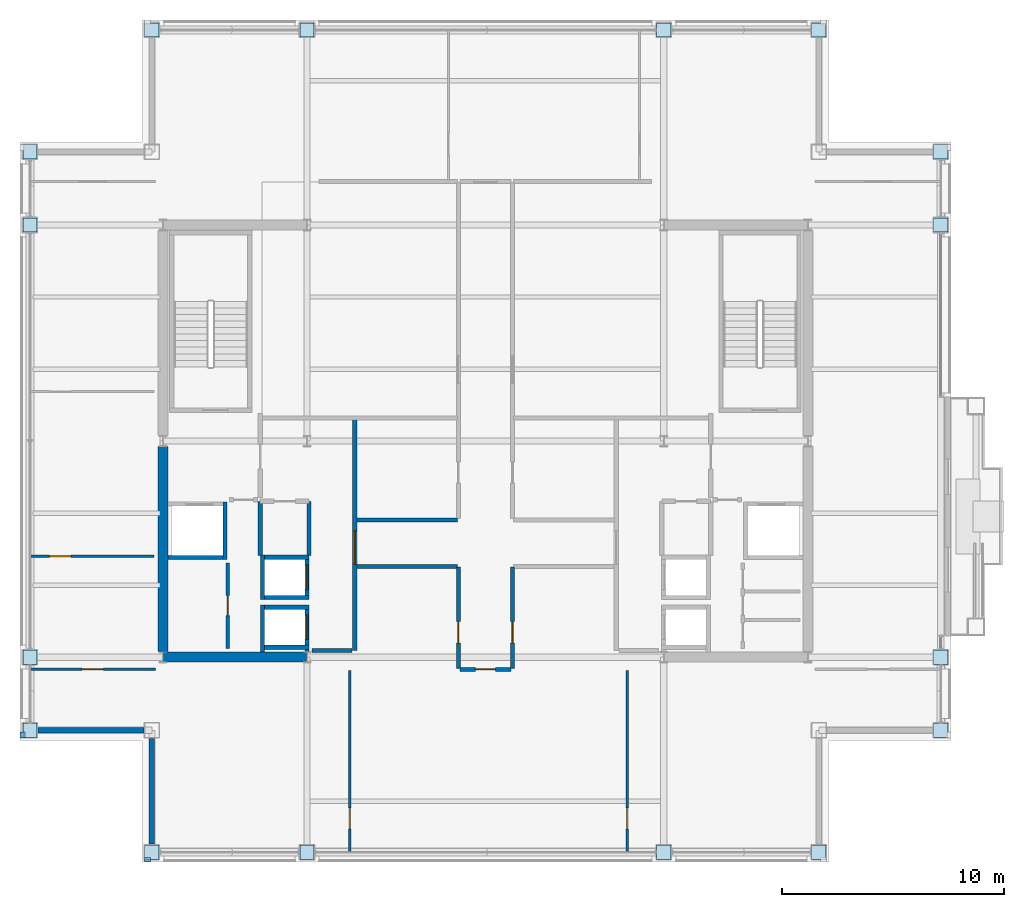
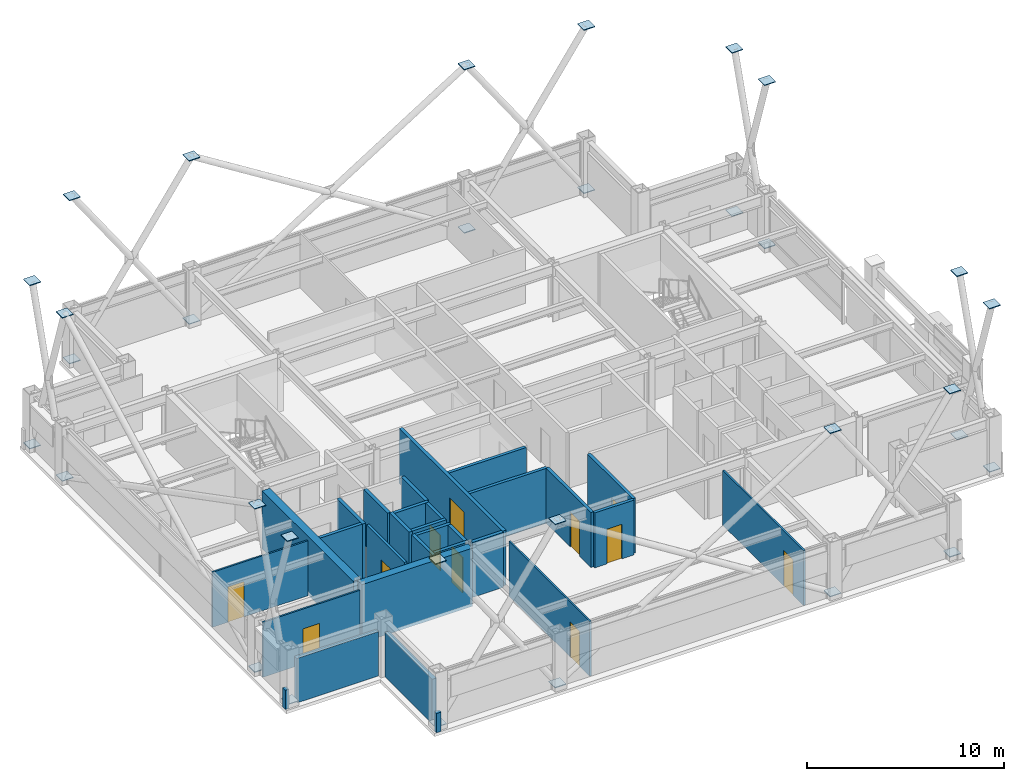
# One storey, part 28 of 33: 32 plates, 30 walls, 11 doors, 11 openings.
"""IFC4 building model written with IfcOpenShell, lengths in metres."""

from ifc_helpers import new_model, si_unit, direction, frame, frame_2d, origin, origin_2d, place, context, subcontext, project, spatial, rectangle, extrude, material, layer, layer_set, type_object, element, fill, save


model = new_model("IFC4")

# Units and contexts
model_context = context("Model", 3, precision=1e-05, world=origin(), true_north=direction((0.0, 1.0)))
body_context = subcontext(model_context, "Body", "Model", "MODEL_VIEW")
ifc_project = project(units=[si_unit("LENGTHUNIT", "METRE"), si_unit("AREAUNIT", "SQUARE_METRE"), si_unit("VOLUMEUNIT", "CUBIC_METRE"), si_unit("PLANEANGLEUNIT", "RADIAN"), si_unit("MASSUNIT", "GRAM", prefix="KILO")], contexts=[model_context])

# Site, building, storey
site_placement = place(None, origin())
site = spatial("IfcSite", under=ifc_project, at=site_placement, CompositionType="ELEMENT")
building_placement = place(site_placement, origin())
building = spatial("IfcBuilding", under=site, at=building_placement, Name="Brelmoor Portico Tower", CompositionType="ELEMENT")
storey_placement = place(building_placement, frame((0.0, 0.0, 183.89990234375)))
storey = spatial("IfcBuildingStorey", under=building, at=storey_placement, Name="L48", CompositionType="ELEMENT", Elevation=183.89990234375)

# Plates
ifc_material_1 = material(Name="Steel Q355B", Category="steel")
ifc_layer_1 = layer(ifc_material_1, 0.044921875)
ifc_layer_set_1 = layer_set([ifc_layer_1], Name="Steel Q355B")
plate_type = type_object("IfcPlateType", Name="PT-CAP-650", PredefinedType="SHEET", material=ifc_layer_set_1)
for number, where, z_axis, x_axis, name in (
    (1, (-15.050048828125, -18.550048828125, 0.2275390625), (0.0, 0.0, 1.0), (1.0, 0.0, 0.0), "L48 Continuous Mega-X Brace 105A Joint Cap Plate 1"),
    (2, (-8.050048828125, -18.550048828125, 10.32763671875), (0.0, 0.0, 1.0), (1.0, 0.0, 0.0), "L48 Continuous Mega-X Brace 105A Joint Cap Plate 2"),
    (3, (-8.050048828125, -18.550048828125, 0.2275390625), (0.0, 0.0, 1.0), (1.0, 0.0, 0.0), "L48 Split Mega-X Brace 105B1 Joint Cap Plate 1"),
    (4, (-15.050048828125, -18.550048828125, 10.32763671875), (0.0, 0.0, 1.0), (1.0, 0.0, 0.0), "L48 Split Mega-X Brace 105B2 Joint Cap Plate 2"),
    (5, (8.050048828125, -18.550048828125, 10.32763671875), (0.0, 0.0, 1.0), (1.0, 0.0, 0.0), "L48 Continuous Mega-X Brace 106A Joint Cap Plate 2"),
    (6, (8.050048828125, -18.550048828125, 0.2275390625), (0.0, 0.0, 1.0), (1.0, 0.0, 0.0), "L48 Split Mega-X Brace 106B1 Joint Cap Plate 1"),
    (7, (15.050048828125, -18.550048828125, 10.32763671875), (0.0, 0.0, 1.0), (1.0, 0.0, 0.0), "L48 Continuous Mega-X Brace 107A Joint Cap Plate 2"),
    (8, (15.050048828125, -18.550048828125, 0.2275390625), (0.0, 0.0, 1.0), (1.0, 0.0, 0.0), "L48 Split Mega-X Brace 107B1 Joint Cap Plate 1"),
    (9, (-15.050048828125, 18.550048828125, 0.2275390625), (0.0, 0.0, 1.0), (1.0, 0.0, 0.0), "L48 Continuous Mega-X Brace 108A Joint Cap Plate 1"),
    (10, (-8.050048828125, 18.550048828125, 10.32763671875), (0.0, 0.0, 1.0), (1.0, 0.0, 0.0), "L48 Continuous Mega-X Brace 108A Joint Cap Plate 2"),
    (11, (-8.050048828125, 18.550048828125, 0.2275390625), (0.0, 0.0, 1.0), (1.0, 0.0, 0.0), "L48 Split Mega-X Brace 108B1 Joint Cap Plate 1"),
    (12, (-15.050048828125, 18.550048828125, 10.32763671875), (0.0, 0.0, 1.0), (1.0, 0.0, 0.0), "L48 Split Mega-X Brace 108B2 Joint Cap Plate 2"),
    (13, (8.050048828125, 18.550048828125, 10.32763671875), (0.0, 0.0, 1.0), (1.0, 0.0, 0.0), "L48 Continuous Mega-X Brace 109A Joint Cap Plate 2"),
    (14, (8.050048828125, 18.550048828125, 0.2275390625), (0.0, 0.0, 1.0), (1.0, 0.0, 0.0), "L48 Split Mega-X Brace 109B1 Joint Cap Plate 1"),
    (15, (15.050048828125, 18.550048828125, 10.32763671875), (0.0, 0.0, 1.0), (1.0, 0.0, 0.0), "L48 Continuous Mega-X Brace 110A Joint Cap Plate 2"),
    (16, (15.050048828125, 18.550048828125, 0.2275390625), (0.0, 0.0, 1.0), (1.0, 0.0, 0.0), "L48 Split Mega-X Brace 110B1 Joint Cap Plate 1"),
    (17, (-20.550048828125, -13.050048828125, 0.2275390625), (0.0, 0.0, 1.0), (1.0, 0.0, 0.0), "L48 Continuous Mega-X Brace 111A Joint Cap Plate 1"),
    (18, (-20.550048828125, -9.75, 10.32763671875), (0.0, 0.0, 1.0), (1.0, 0.0, 0.0), "L48 Continuous Mega-X Brace 111A Joint Cap Plate 2"),
    (19, (-20.550048828125, -9.75, 0.2275390625), (0.0, 0.0, 1.0), (1.0, 0.0, 0.0), "L48 Split Mega-X Brace 111B1 Joint Cap Plate 1"),
    (20, (-20.550048828125, -13.050048828125, 10.32763671875), (0.0, 0.0, 1.0), (1.0, 0.0, 0.0), "L48 Split Mega-X Brace 111B2 Joint Cap Plate 2"),
    (21, (-20.550048828125, 9.75, 10.32763671875), (0.0, 0.0, 1.0), (1.0, 0.0, 0.0), "L48 Continuous Mega-X Brace 112A Joint Cap Plate 2"),
    (22, (-20.550048828125, 9.75, 0.2275390625), (0.0, 0.0, 1.0), (1.0, 0.0, 0.0), "L48 Split Mega-X Brace 112B1 Joint Cap Plate 1"),
    (23, (-20.550048828125, 13.050048828125, 10.32763671875), (0.0, 0.0, 1.0), (1.0, 0.0, 0.0), "L48 Continuous Mega-X Brace 113A Joint Cap Plate 2"),
    (24, (-20.550048828125, 13.050048828125, 0.2275390625), (0.0, 0.0, 1.0), (1.0, 0.0, 0.0), "L48 Split Mega-X Brace 113B1 Joint Cap Plate 1"),
    (25, (20.550048828125, -13.050048828125, 0.2275390625), (0.0, 0.0, 1.0), (1.0, 0.0, 0.0), "L48 Continuous Mega-X Brace 114A Joint Cap Plate 1"),
    (26, (20.550048828125, -9.75, 10.32763671875), (0.0, 0.0, 1.0), (1.0, 0.0, 0.0), "L48 Continuous Mega-X Brace 114A Joint Cap Plate 2"),
    (27, (20.550048828125, -9.75, 0.2275390625), (0.0, 0.0, 1.0), (1.0, 0.0, 0.0), "L48 Split Mega-X Brace 114B1 Joint Cap Plate 1"),
    (28, (20.550048828125, -13.050048828125, 10.32763671875), (0.0, 0.0, 1.0), (1.0, 0.0, 0.0), "L48 Split Mega-X Brace 114B2 Joint Cap Plate 2"),
    (29, (20.550048828125, 9.75, 0.2275390625), (0.0, 0.0, 1.0), (1.0, 0.0, 0.0), "L48 Continuous Mega-X Brace 115A Joint Cap Plate 1"),
    (30, (20.550048828125, 13.050048828125, 10.32763671875), (0.0, 0.0, 1.0), (1.0, 0.0, 0.0), "L48 Continuous Mega-X Brace 115A Joint Cap Plate 2"),
    (31, (20.550048828125, 13.050048828125, 0.2275390625), (0.0, 0.0, 1.0), (1.0, 0.0, 0.0), "L48 Split Mega-X Brace 115B1 Joint Cap Plate 1"),
    (32, (20.550048828125, 9.75, 10.32763671875), (0.0, 0.0, 1.0), (1.0, 0.0, 0.0), "L48 Split Mega-X Brace 115B2 Joint Cap Plate 2"),
):
    element("IfcPlate", number, at=place(storey_placement, frame(where, z_axis=z_axis, x_axis=x_axis)), inside=storey, type_object=plate_type, Name=name, PredefinedType="SHEET", context=body_context, shape_type="SweptSolid", body=[
        extrude(rectangle(XDim=0.64990234375, YDim=0.64990234375, at=origin_2d()), origin(), (0.0, 0.0, 1.0), 0.044921875),
    ])

# Walls
ifc_material_2 = material(Name="Concrete C50", Category="concrete")
ifc_layer_2 = layer(ifc_material_2, 0.449951171875)
ifc_layer_set_2 = layer_set([ifc_layer_2], Name="Concrete C50")
wall_type_1 = type_object("IfcWallType", Name="WL-CORE-450", PredefinedType="SHEAR", material=ifc_layer_set_2)
wall_1_placement = place(storey_placement, frame((-14.530029296875, -9.75, -0.199951171875), z_axis=(0.0, 0.0, 1.0), x_axis=(1.0, 0.0, 0.0)))
element("IfcWall", 33, at=wall_1_placement, inside=storey, type_object=wall_type_1, Name="L48 WC South Shear Wall", PredefinedType="SHEAR", context=body_context, shape_type="SweptSolid", body=[
    extrude(rectangle(XDim=6.4599609375, YDim=0.449951171875, at=frame_2d((3.22998046875, 0.0))), origin(), (0.0, 0.0, 1.0), 3.60009765625),
])
wall_2_placement = place(storey_placement, frame((-14.550048828125, -9.5, -0.199951171875), z_axis=(0.0, 0.0, 1.0), x_axis=(0.0, 1.0, 0.0)))
element("IfcWall", 34, at=wall_2_placement, inside=storey, type_object=wall_type_1, Name="L48 WC Outer South Shear Wall", PredefinedType="SHEAR", context=body_context, shape_type="SweptSolid", body=[
    extrude(rectangle(XDim=9.25, YDim=0.449951171875, at=frame_2d((4.625, 0.0))), origin(), (0.0, 0.0, 1.0), 3.60009765625),
])
ifc_material_3 = material(Name="Precast Concrete C40 Insulated Facade Wall", Category="concrete")
ifc_layer_3 = layer(ifc_material_3, 0.25)
ifc_layer_set_3 = layer_set([ifc_layer_3], Name="Precast Concrete C40 Insulated Facade Wall")
wall_type_2 = type_object("IfcWallType", Name="WL-EXT-250", PredefinedType="STANDARD", material=ifc_layer_set_3)
for number, where, z_axis, x_axis, name in (
    (35, (-20.18994140625, -13.050048828125, 0.0), (0.0, 0.0, 1.0), (1.0, 0.0, 0.0), "L48 Corner Notch Facade Wall NSWH1"),
    (36, (-15.050048828125, -18.18994140625, 0.0), (0.0, 0.0, 1.0), (0.0, 1.0, 0.0), "L48 Corner Notch Facade Wall NSWV1"),
):
    element("IfcWall", number, at=place(storey_placement, frame(where, z_axis=z_axis, x_axis=x_axis)), inside=storey, type_object=wall_type_2, Name=name, PredefinedType="STANDARD", context=body_context, shape_type="SweptSolid", body=[
        extrude(rectangle(XDim=4.780029296875, YDim=0.25, at=frame_2d((2.39013671875, 0.0))), origin(), (0.0, 0.0, 1.0), 2.75),
    ])
ifc_material_4 = material(Name="Concrete C40 Parapet Upstand", Category="concrete")
ifc_layer_4 = layer(ifc_material_4, 0.219970703125)
ifc_layer_set_4 = layer_set([ifc_layer_4], Name="Concrete C40 Parapet Upstand")
wall_type_3 = type_object("IfcWallType", Name="WL-PARAPET-220", PredefinedType="PARAPET", material=ifc_layer_set_4)
for number, where, z_axis, x_axis, name in (
    (37, (-15.389892578125, -18.889892578125, 0.0), (0.0, 0.0, 1.0), (1.0, 0.0, 0.0), "L48 Chamfer Vertex Parapet Pier SW1"),
    (38, (-20.889892578125, -13.389892578125, 0.0), (0.0, 0.0, 1.0), (0.0, 1.0, 0.0), "L48 Chamfer Vertex Parapet Pier SW2"),
):
    element("IfcWall", number, at=place(storey_placement, frame(where, z_axis=z_axis, x_axis=x_axis)), inside=storey, type_object=wall_type_3, Name=name, PredefinedType="PARAPET", context=body_context, shape_type="SweptSolid", body=[
        extrude(rectangle(XDim=0.269775390625, YDim=0.219970703125, at=frame_2d((0.134765625, 0.0))), origin(), (0.0, 0.0, 1.0), 1.2001953125),
    ])

# Wall, opening, door
ifc_material_5 = material(Name="Demountable Glazed Office Partition", Category="aluminium")
ifc_layer_5 = layer(ifc_material_5, 0.10009765625)
ifc_layer_set_5 = layer_set([ifc_layer_5], Name="Demountable Glazed Office Partition")
wall_type_4 = type_object("IfcWallType", Name="WL-PART-100", PredefinedType="PARTITIONING", material=ifc_layer_set_5)
wall_3_placement = place(storey_placement, frame((-6.120361328125, -18.56005859375, 0.0), z_axis=(0.0, 0.0, 1.0), x_axis=(0.0, 1.0, 0.0)))
wall_3 = element("IfcWall", 39, at=wall_3_placement, inside=storey, type_object=wall_type_4, Name="L48 South Suite Partition 1", PredefinedType="PARTITIONING", context=body_context, shape_type="SweptSolid", body=[
    extrude(rectangle(XDim=8.199951171875, YDim=0.10009765625, at=frame_2d((4.10009765625, 0.0))), origin(), (0.0, 0.0, 1.0), 3.400146484375),
])
opening_1_placement = place(wall_3_placement, frame((1.050048828125, 0.0, 0.0)))
opening_1 = element("IfcOpeningElement", 40, at=opening_1_placement, cuts=wall_3, Name="Opening D-IN2", PredefinedType="OPENING", context=body_context, shape_type="SweptSolid", body=[
    extrude(rectangle(XDim=0.9599609375, YDim=2.179931640625, at=frame_2d((0.47998046875, 1.08984375))), frame((0.0, 0.06005859375, 0.0), z_axis=(0.0, -1.0, 0.0), x_axis=(1.0, 0.0, 0.0)), (0.0, 0.0, 1.0), 0.1201171875),
])
ifc_material_6 = material(Name="Lacquered Timber Suite Door", Category="wood")
door_type_1 = type_object("IfcDoorType", Name="DR-INT-950", OperationType="NOTDEFINED", PredefinedType="DOOR", material=ifc_material_6)
door_1_placement = place(opening_1_placement, origin())
door_1 = element("IfcDoor", 41, at=door_1_placement, inside=storey, type_object=door_type_1, Name="D-2048 L48 South Suite Connecting Door 1", OperationType="SINGLE_SWING_LEFT", OverallHeight=2.179931640625, OverallWidth=0.9599609375, PredefinedType="DOOR", context=body_context, shape_type="SweptSolid", body=[
    extrude(rectangle(XDim=0.9599609375, YDim=2.179931640625, at=frame_2d((0.47998046875, 1.08984375))), frame((0.0, 0.02490234375, 0.0), z_axis=(0.0, -1.0, 0.0), x_axis=(1.0, 0.0, 0.0)), (0.0, 0.0, 1.0), 0.050048828125),
])
fill(opening_1, door_1)

wall_4_placement = place(storey_placement, frame((6.398681640625, -18.56005859375, 0.0), z_axis=(0.0, 0.0, 1.0), x_axis=(0.0, 1.0, 0.0)))
wall_4 = element("IfcWall", 42, at=wall_4_placement, inside=storey, type_object=wall_type_4, Name="L48 South Suite Partition 2", PredefinedType="PARTITIONING", context=body_context, shape_type="SweptSolid", body=[
    extrude(rectangle(XDim=8.199951171875, YDim=0.10009765625, at=frame_2d((4.10009765625, 0.0))), origin(), (0.0, 0.0, 1.0), 3.400146484375),
])
opening_2_placement = place(wall_4_placement, frame((1.050048828125, 0.0, 0.0)))
opening_2 = element("IfcOpeningElement", 43, at=opening_2_placement, cuts=wall_4, Name="Opening D-IN2", PredefinedType="OPENING", context=body_context, shape_type="SweptSolid", body=[
    extrude(rectangle(XDim=0.9599609375, YDim=2.179931640625, at=frame_2d((0.47998046875, 1.08984375))), frame((0.0, 0.06005859375, 0.0), z_axis=(0.0, -1.0, 0.0), x_axis=(1.0, 0.0, 0.0)), (0.0, 0.0, 1.0), 0.1201171875),
])
door_2_placement = place(opening_2_placement, origin())
door_2 = element("IfcDoor", 44, at=door_2_placement, inside=storey, type_object=door_type_1, Name="D-2049 L48 South Suite Connecting Door 2", OperationType="SINGLE_SWING_RIGHT", OverallHeight=2.179931640625, OverallWidth=0.9599609375, PredefinedType="DOOR", context=body_context, shape_type="SweptSolid", body=[
    extrude(rectangle(XDim=0.9599609375, YDim=2.179931640625, at=frame_2d((0.47998046875, 1.08984375))), frame((0.0, 0.02490234375, 0.0), z_axis=(0.0, -1.0, 0.0), x_axis=(1.0, 0.0, 0.0)), (0.0, 0.0, 1.0), 0.050048828125),
])
fill(opening_2, door_2)

wall_5_placement = place(storey_placement, frame((-20.56005859375, -10.300048828125, 0.0), z_axis=(0.0, 0.0, 1.0), x_axis=(1.0, 0.0, 0.0)))
wall_5 = element("IfcWall", 45, at=wall_5_placement, inside=storey, type_object=wall_type_4, Name="L48 South Wing Closure WL", PredefinedType="PARTITIONING", context=body_context, shape_type="SweptSolid", body=[
    extrude(rectangle(XDim=5.68017578125, YDim=0.10009765625, at=frame_2d((2.840087890625, 0.0))), origin(), (0.0, 0.0, 1.0), 3.400146484375),
])
opening_3_placement = place(wall_5_placement, frame((2.360107421875, 0.0, 0.0)))
opening_3 = element("IfcOpeningElement", 46, at=opening_3_placement, cuts=wall_5, Name="Opening D-IN2", PredefinedType="OPENING", context=body_context, shape_type="SweptSolid", body=[
    extrude(rectangle(XDim=0.9599609375, YDim=2.179931640625, at=frame_2d((0.47998046875, 1.08984375))), frame((0.0, 0.06005859375, 0.0), z_axis=(0.0, -1.0, 0.0), x_axis=(1.0, 0.0, 0.0)), (0.0, 0.0, 1.0), 0.1201171875),
])
door_3_placement = place(opening_3_placement, origin())
door_3 = element("IfcDoor", 47, at=door_3_placement, inside=storey, type_object=door_type_1, Name="D-2053 L48 WL Wing South Suite Door", OperationType="SINGLE_SWING_RIGHT", OverallHeight=2.179931640625, OverallWidth=0.9599609375, PredefinedType="DOOR", context=body_context, shape_type="SweptSolid", body=[
    extrude(rectangle(XDim=0.9599609375, YDim=2.179931640625, at=frame_2d((0.47998046875, 1.08984375))), frame((0.0, 0.02490234375, 0.0), z_axis=(0.0, -1.0, 0.0), x_axis=(1.0, 0.0, 0.0)), (0.0, 0.0, 1.0), 0.050048828125),
])
fill(opening_3, door_3)

wall_6_placement = place(storey_placement, frame((-20.56005859375, -5.194580078125, 0.0), z_axis=(0.0, 0.0, 1.0), x_axis=(1.0, 0.0, 0.0)))
wall_6 = element("IfcWall", 48, at=wall_6_placement, inside=storey, type_object=wall_type_4, Name="L48 W Wing Partition 1", PredefinedType="PARTITIONING", context=body_context, shape_type="SweptSolid", body=[
    extrude(rectangle(XDim=5.60009765625, YDim=0.10009765625, at=frame_2d((2.800048828125, 0.0))), origin(), (0.0, 0.0, 1.0), 3.400146484375),
])
opening_4_placement = place(wall_6_placement, frame((0.89990234375, 0.0, 0.0)))
opening_4 = element("IfcOpeningElement", 49, at=opening_4_placement, cuts=wall_6, Name="Opening D-IN2", PredefinedType="OPENING", context=body_context, shape_type="SweptSolid", body=[
    extrude(rectangle(XDim=0.9599609375, YDim=2.179931640625, at=frame_2d((0.47998046875, 1.08984375))), frame((0.0, 0.06005859375, 0.0), z_axis=(0.0, -1.0, 0.0), x_axis=(1.0, 0.0, 0.0)), (0.0, 0.0, 1.0), 0.1201171875),
])
door_4_placement = place(opening_4_placement, origin())
door_4 = element("IfcDoor", 50, at=door_4_placement, inside=storey, type_object=door_type_1, Name="D-2055 L48 W Wing Suite Connecting Door 1", OperationType="SINGLE_SWING_RIGHT", OverallHeight=2.179931640625, OverallWidth=0.9599609375, PredefinedType="DOOR", context=body_context, shape_type="SweptSolid", body=[
    extrude(rectangle(XDim=0.9599609375, YDim=2.179931640625, at=frame_2d((0.47998046875, 1.08984375))), frame((0.0, 0.02490234375, 0.0), z_axis=(0.0, -1.0, 0.0), x_axis=(1.0, 0.0, 0.0)), (0.0, 0.0, 1.0), 0.050048828125),
])
fill(opening_4, door_4)

ifc_material_7 = material(Name="Twin-Frame Acoustic Partition", Category="gypsum")
ifc_layer_6 = layer(ifc_material_7, 0.159912109375)
ifc_layer_set_6 = layer_set([ifc_layer_6], Name="Twin-Frame Acoustic Partition")
wall_type_5 = type_object("IfcWallType", Name="WL-PART-160", PredefinedType="PARTITIONING", material=ifc_layer_set_6)
wall_7_placement = place(storey_placement, frame((-11.6201171875, -9.35009765625, 0.0), z_axis=(0.0, 0.0, 1.0), x_axis=(0.0, 1.0, 0.0)))
wall_7 = element("IfcWall", 51, at=wall_7_placement, inside=storey, type_object=wall_type_5, Name="L48 W Core Service Front Wall", PredefinedType="PARTITIONING", context=body_context, shape_type="SweptSolid", body=[
    extrude(rectangle(XDim=3.85009765625, YDim=0.159912109375, at=frame_2d((1.925048828125, 0.0))), origin(), (0.0, 0.0, 1.0), 3.400146484375),
])
opening_5_placement = place(wall_7_placement, frame((1.47509765625, 0.0, 0.0)))
opening_5 = element("IfcOpeningElement", 52, at=opening_5_placement, cuts=wall_7, Name="Opening D-IN1", PredefinedType="OPENING", context=body_context, shape_type="SweptSolid", body=[
    extrude(rectangle(XDim=0.89990234375, YDim=2.14990234375, at=frame_2d((0.449951171875, 1.074951171875))), frame((0.0, 0.08984375, 0.0), z_axis=(0.0, -1.0, 0.0), x_axis=(1.0, 0.0, 0.0)), (0.0, 0.0, 1.0), 0.179931640625),
])
door_type_2 = type_object("IfcDoorType", Name="DR-INT-900", OperationType="NOTDEFINED", PredefinedType="DOOR", material=ifc_material_6)
door_5_placement = place(opening_5_placement, origin())
door_5 = element("IfcDoor", 53, at=door_5_placement, inside=storey, type_object=door_type_2, Name="D-2035 L48 W Accessible WC Door", OperationType="SINGLE_SWING_LEFT", OverallHeight=2.14990234375, OverallWidth=0.89990234375, PredefinedType="DOOR", context=body_context, shape_type="SweptSolid", body=[
    extrude(rectangle(XDim=0.89990234375, YDim=2.14990234375, at=frame_2d((0.449951171875, 1.074951171875))), frame((0.0, 0.02490234375, 0.0), z_axis=(0.0, -1.0, 0.0), x_axis=(1.0, 0.0, 0.0)), (0.0, 0.0, 1.0), 0.050048828125),
])
fill(opening_5, door_5)

# Wall
ifc_material_8 = material(Name="Acoustic Corridor Fire Partition", Category="gypsum")
ifc_layer_7 = layer(ifc_material_8, 0.179931640625)
ifc_layer_set_7 = layer_set([ifc_layer_7], Name="Acoustic Corridor Fire Partition")
wall_type_6 = type_object("IfcWallType", Name="WL-PART-180", PredefinedType="PARTITIONING", material=ifc_layer_set_7)
wall_8_placement = place(storey_placement, frame((-5.800048828125, -3.550048828125, 0.0), z_axis=(0.0, 0.0, 1.0), x_axis=(1.0, 0.0, 0.0)))
element("IfcWall", 54, at=wall_8_placement, inside=storey, type_object=wall_type_6, Name="L48 West Pantry South Wall", PredefinedType="PARTITIONING", context=body_context, shape_type="SweptSolid", body=[
    extrude(rectangle(XDim=4.5400390625, YDim=0.179931640625, at=frame_2d((2.27001953125, 0.0))), origin(), (0.0, 0.0, 1.0), 3.400146484375),
])

# Wall, opening, door
wall_9_placement = place(storey_placement, frame((-1.219970703125, -10.260009765625, 0.0), z_axis=(0.0, 0.0, 1.0), x_axis=(0.0, 1.0, 0.0)))
wall_9 = element("IfcWall", 55, at=wall_9_placement, inside=storey, type_object=wall_type_6, Name="L48 South Cross West Wall", PredefinedType="PARTITIONING", context=body_context, shape_type="SweptSolid", body=[
    extrude(rectangle(XDim=4.580078125, YDim=0.179931640625, at=frame_2d((2.2900390625, 0.0))), origin(), (0.0, 0.0, 1.0), 3.400146484375),
])
opening_6_placement = place(wall_9_placement, frame((1.14990234375, 0.0, 0.0)))
opening_6 = element("IfcOpeningElement", 56, at=opening_6_placement, cuts=wall_9, Name="Opening D-IN2", PredefinedType="OPENING", context=body_context, shape_type="SweptSolid", body=[
    extrude(rectangle(XDim=0.9599609375, YDim=2.179931640625, at=frame_2d((0.47998046875, 1.08984375))), frame((0.0, 0.099853515625, 0.0), z_axis=(0.0, -1.0, 0.0), x_axis=(1.0, 0.0, 0.0)), (0.0, 0.0, 1.0), 0.199951171875),
])
door_6_placement = place(opening_6_placement, origin())
door_6 = element("IfcDoor", 57, at=door_6_placement, inside=storey, type_object=door_type_1, Name="D-2027 L48 South-West Archive Room Door", OperationType="SINGLE_SWING_RIGHT", OverallHeight=2.179931640625, OverallWidth=0.9599609375, PredefinedType="DOOR", context=body_context, shape_type="SweptSolid", body=[
    extrude(rectangle(XDim=0.9599609375, YDim=2.179931640625, at=frame_2d((0.47998046875, 1.08984375))), frame((0.0, 0.02490234375, 0.0), z_axis=(0.0, -1.0, 0.0), x_axis=(1.0, 0.0, 0.0)), (0.0, 0.0, 1.0), 0.050048828125),
])
fill(opening_6, door_6)

wall_10_placement = place(storey_placement, frame((1.219970703125, -10.260009765625, 0.0), z_axis=(0.0, 0.0, 1.0), x_axis=(0.0, 1.0, 0.0)))
wall_10 = element("IfcWall", 58, at=wall_10_placement, inside=storey, type_object=wall_type_6, Name="L48 South Cross East Wall", PredefinedType="PARTITIONING", context=body_context, shape_type="SweptSolid", body=[
    extrude(rectangle(XDim=4.580078125, YDim=0.179931640625, at=frame_2d((2.2900390625, 0.0))), origin(), (0.0, 0.0, 1.0), 3.400146484375),
])
opening_7_placement = place(wall_10_placement, frame((1.14990234375, 0.0, 0.0)))
opening_7 = element("IfcOpeningElement", 59, at=opening_7_placement, cuts=wall_10, Name="Opening D-IN2", PredefinedType="OPENING", context=body_context, shape_type="SweptSolid", body=[
    extrude(rectangle(XDim=0.9599609375, YDim=2.179931640625, at=frame_2d((0.47998046875, 1.08984375))), frame((0.0, 0.099853515625, 0.0), z_axis=(0.0, -1.0, 0.0), x_axis=(1.0, 0.0, 0.0)), (0.0, 0.0, 1.0), 0.199951171875),
])
door_7_placement = place(opening_7_placement, origin())
door_7 = element("IfcDoor", 60, at=door_7_placement, inside=storey, type_object=door_type_1, Name="D-2026 L48 South-East Partner Office Door", OperationType="SINGLE_SWING_LEFT", OverallHeight=2.179931640625, OverallWidth=0.9599609375, PredefinedType="DOOR", context=body_context, shape_type="SweptSolid", body=[
    extrude(rectangle(XDim=0.9599609375, YDim=2.179931640625, at=frame_2d((0.47998046875, 1.08984375))), frame((0.0, 0.02490234375, 0.0), z_axis=(0.0, -1.0, 0.0), x_axis=(1.0, 0.0, 0.0)), (0.0, 0.0, 1.0), 0.050048828125),
])
fill(opening_7, door_7)

# Wall
wall_11_placement = place(storey_placement, frame((-5.800048828125, -5.64990234375, 0.0), z_axis=(0.0, 0.0, 1.0), x_axis=(1.0, 0.0, 0.0)))
element("IfcWall", 61, at=wall_11_placement, inside=storey, type_object=wall_type_6, Name="L48 South-West Chamber Top Wall", PredefinedType="PARTITIONING", context=body_context, shape_type="SweptSolid", body=[
    extrude(rectangle(XDim=4.5400390625, YDim=0.179931640625, at=frame_2d((2.27001953125, 0.0))), origin(), (0.0, 0.0, 1.0), 3.400146484375),
])

# Wall, opening, door
wall_12_placement = place(storey_placement, frame((-1.14990234375, -10.300048828125, 0.0), z_axis=(0.0, 0.0, 1.0), x_axis=(1.0, 0.0, 0.0)))
wall_12 = element("IfcWall", 62, at=wall_12_placement, inside=storey, type_object=wall_type_6, Name="L48 South Corridor Partition", PredefinedType="PARTITIONING", context=body_context, shape_type="SweptSolid", body=[
    extrude(rectangle(XDim=2.2998046875, YDim=0.179931640625, at=frame_2d((1.14990234375, 0.0))), origin(), (0.0, 0.0, 1.0), 3.400146484375),
])
opening_8_placement = place(wall_12_placement, frame((0.699951171875, 0.0, 0.0)))
opening_8 = element("IfcOpeningElement", 63, at=opening_8_placement, cuts=wall_12, Name="Opening D-IN1", PredefinedType="OPENING", context=body_context, shape_type="SweptSolid", body=[
    extrude(rectangle(XDim=0.89990234375, YDim=2.14990234375, at=frame_2d((0.449951171875, 1.074951171875))), frame((0.0, 0.099853515625, 0.0), z_axis=(0.0, -1.0, 0.0), x_axis=(1.0, 0.0, 0.0)), (0.0, 0.0, 1.0), 0.199951171875),
])
door_8_placement = place(opening_8_placement, origin())
door_8 = element("IfcDoor", 64, at=door_8_placement, inside=storey, type_object=door_type_2, Name="D-2047 L48 South Cellular Office 2 Door", OperationType="SINGLE_SWING_LEFT", OverallHeight=2.14990234375, OverallWidth=0.89990234375, PredefinedType="DOOR", context=body_context, shape_type="SweptSolid", body=[
    extrude(rectangle(XDim=0.89990234375, YDim=2.14990234375, at=frame_2d((0.449951171875, 1.074951171875))), frame((0.0, 0.02490234375, 0.0), z_axis=(0.0, -1.0, 0.0), x_axis=(1.0, 0.0, 0.0)), (0.0, 0.0, 1.0), 0.050048828125),
])
fill(opening_8, door_8)

ifc_material_9 = material(Name="Double-Stud Gypsum Fire Partition", Category="gypsum")
ifc_layer_8 = layer(ifc_material_9, 0.199951171875)
ifc_layer_set_8 = layer_set([ifc_layer_8], Name="Double-Stud Gypsum Fire Partition")
wall_type_7 = type_object("IfcWallType", Name="WL-PART-200", PredefinedType="PARTITIONING", material=ifc_layer_set_8)
wall_13_placement = place(storey_placement, frame((-5.89990234375, -9.449951171875, 0.0), z_axis=(0.0, 0.0, 1.0), x_axis=(0.0, 1.0, 0.0)))
wall_13 = element("IfcWall", 65, at=wall_13_placement, inside=storey, type_object=wall_type_7, Name="L48 W Core Lobby Compartment Wall", PredefinedType="PARTITIONING", context=body_context, shape_type="SweptSolid", body=[
    extrude(rectangle(XDim=10.5, YDim=0.199951171875, at=frame_2d((5.25, 0.0))), origin(), (0.0, 0.0, 1.0), 3.400146484375),
])
opening_9_placement = place(wall_13_placement, frame((3.89990234375, 0.0, 0.0)))
opening_9 = element("IfcOpeningElement", 66, at=opening_9_placement, cuts=wall_13, Name="Opening D-LB1", PredefinedType="OPENING", context=body_context, shape_type="SweptSolid", body=[
    extrude(rectangle(XDim=1.5, YDim=2.199951171875, at=frame_2d((0.75, 1.10009765625))), frame((0.0, 0.10986328125, 0.0), z_axis=(0.0, -1.0, 0.0), x_axis=(1.0, 0.0, 0.0)), (0.0, 0.0, 1.0), 0.219970703125),
])
ifc_material_10 = material(Name="Double-Leaf Glazed Steel Fire Door", Category="steel")
door_type_3 = type_object("IfcDoorType", Name="DR-LOBBY-1500", OperationType="NOTDEFINED", PredefinedType="DOOR", material=ifc_material_10)
door_9_placement = place(opening_9_placement, origin())
door_9 = element("IfcDoor", 67, at=door_9_placement, inside=storey, type_object=door_type_3, Name="D-2041 L48 W Lift Lobby Main Door", OperationType="DOUBLE_DOOR_SINGLE_SWING", OverallHeight=2.199951171875, OverallWidth=1.5, PredefinedType="DOOR", context=body_context, shape_type="SweptSolid", body=[
    extrude(rectangle(XDim=1.5, YDim=2.199951171875, at=frame_2d((0.75, 1.10009765625))), frame((0.0, 0.02490234375, 0.0), z_axis=(0.0, -1.0, 0.0), x_axis=(1.0, 0.0, 0.0)), (0.0, 0.0, 1.0), 0.050048828125),
])
fill(opening_9, door_9)

# Walls
wall_14_placement = place(storey_placement, frame((-6.02001953125, -9.449951171875, 0.0), z_axis=(0.0, 0.0, 1.0), x_axis=(-1.0, 0.0, 0.0)))
element("IfcWall", 68, at=wall_14_placement, inside=storey, type_object=wall_type_7, Name="L48 W Lift Lobby South End Wall", PredefinedType="PARTITIONING", context=body_context, shape_type="SweptSolid", body=[
    extrude(rectangle(XDim=1.800048828125, YDim=0.199951171875, at=frame_2d((0.89990234375, 0.0))), origin(), (0.0, 0.0, 1.0), 3.400146484375),
])
for number, where, z_axis, x_axis, name in (
    (69, (-7.9599609375, -5.159912109375, 0.0), (0.0, 0.0, 1.0), (0.0, 1.0, 0.0), "L48 W Electrical Switchgear Closet Inner Wall"),
    (70, (-10.159912109375, -5.159912109375, 0.0), (0.0, 0.0, 1.0), (0.0, 1.0, 0.0), "L48 W Electrical Switchgear Closet Outer Wall"),
):
    element("IfcWall", number, at=place(storey_placement, frame(where, z_axis=z_axis, x_axis=x_axis)), inside=storey, type_object=wall_type_7, Name=name, PredefinedType="PARTITIONING", context=body_context, shape_type="SweptSolid", body=[
        extrude(rectangle(XDim=2.43994140625, YDim=0.199951171875, at=frame_2d((1.219970703125, 0.0))), origin(), (0.0, 0.0, 1.0), 3.400146484375),
    ])

# Wall, opening, door
ifc_material_11 = material(Name="Precast Concrete C40", Category="concrete")
ifc_layer_9 = layer(ifc_material_11, 0.18994140625)
ifc_layer_set_9 = layer_set([ifc_layer_9], Name="Precast Concrete C40")
wall_type_8 = type_object("IfcWallType", Name="WL-SHAFT-180", PredefinedType="SOLIDWALL", material=ifc_layer_set_9)
wall_15_placement = place(storey_placement, frame((-8.044921875, -9.52001953125, -0.199951171875), z_axis=(0.0, 0.0, 1.0), x_axis=(0.0, 1.0, 0.0)))
wall_15 = element("IfcWall", 71, at=wall_15_placement, inside=storey, type_object=wall_type_8, Name="L48 Lift PH1 Hoistway Front Wall", PredefinedType="SOLIDWALL", context=body_context, shape_type="SweptSolid", body=[
    extrude(rectangle(XDim=2.1201171875, YDim=0.18994140625, at=frame_2d((1.06005859375, 0.0))), origin(), (0.0, 0.0, 1.0), 3.60009765625),
])
opening_10_placement = place(wall_15_placement, frame((0.570068359375, 0.0, 0.199951171875)))
opening_10 = element("IfcOpeningElement", 72, at=opening_10_placement, cuts=wall_15, Name="Opening LD-01", PredefinedType="OPENING", context=body_context, shape_type="SweptSolid", body=[
    extrude(rectangle(XDim=1.10009765625, YDim=2.199951171875, at=frame_2d((0.550048828125, 1.10009765625))), frame((0.0, 0.10498046875, 0.0), z_axis=(0.0, -1.0, 0.0), x_axis=(1.0, 0.0, 0.0)), (0.0, 0.0, 1.0), 0.2099609375),
])
ifc_material_12 = material(Name="Brushed Stainless Steel Sliding Lift Door", Category="steel")
door_type_4 = type_object("IfcDoorType", Name="DR-LIFT-1100", OperationType="NOTDEFINED", PredefinedType="DOOR", material=ifc_material_12)
door_10_placement = place(opening_10_placement, origin())
door_10 = element("IfcDoor", 73, at=door_10_placement, inside=storey, type_object=door_type_4, Name="D-2059 L48 Lift PH1 Sliding Landing Door", OperationType="SLIDING_TO_LEFT", OverallHeight=2.199951171875, OverallWidth=1.10009765625, PredefinedType="DOOR", context=body_context, shape_type="SweptSolid", body=[
    extrude(rectangle(XDim=1.10009765625, YDim=2.199951171875, at=frame_2d((0.550048828125, 1.10009765625))), frame((0.0, 0.02490234375, 0.0), z_axis=(0.0, -1.0, 0.0), x_axis=(1.0, 0.0, 0.0)), (0.0, 0.0, 1.0), 0.050048828125),
])
fill(opening_10, door_10)

# Walls
wall_16_placement = place(storey_placement, frame((-10.054931640625, -9.52001953125, -0.199951171875), z_axis=(0.0, 0.0, 1.0), x_axis=(0.0, 1.0, 0.0)))
element("IfcWall", 74, at=wall_16_placement, inside=storey, type_object=wall_type_8, Name="L48 Lift PH1 Hoistway Back Wall", PredefinedType="SOLIDWALL", context=body_context, shape_type="SweptSolid", body=[
    extrude(rectangle(XDim=2.1201171875, YDim=0.18994140625, at=frame_2d((1.06005859375, 0.0))), origin(), (0.0, 0.0, 1.0), 3.60009765625),
])
for number, where, z_axis, x_axis, name in (
    (75, (-10.14990234375, -7.4951171875, -0.199951171875), (0.0, 0.0, 1.0), (1.0, 0.0, 0.0), "L48 Lift PH1 Hoistway North Wall"),
    (76, (-10.14990234375, -9.304931640625, -0.199951171875), (0.0, 0.0, 1.0), (1.0, 0.0, 0.0), "L48 Lift PH1 Hoistway South Wall"),
):
    element("IfcWall", number, at=place(storey_placement, frame(where, z_axis=z_axis, x_axis=x_axis)), inside=storey, type_object=wall_type_8, Name=name, PredefinedType="SOLIDWALL", context=body_context, shape_type="SweptSolid", body=[
        extrude(rectangle(XDim=2.199951171875, YDim=0.18994140625, at=frame_2d((1.10009765625, 0.0))), origin(), (0.0, 0.0, 1.0), 3.60009765625),
    ])

# Wall, opening, door
wall_17_placement = place(storey_placement, frame((-8.044921875, -7.14990234375, -0.199951171875), z_axis=(0.0, 0.0, 1.0), x_axis=(0.0, 1.0, 0.0)))
wall_17 = element("IfcWall", 77, at=wall_17_placement, inside=storey, type_object=wall_type_8, Name="L48 Lift PH2 Hoistway Front Wall", PredefinedType="SOLIDWALL", context=body_context, shape_type="SweptSolid", body=[
    extrude(rectangle(XDim=2.0, YDim=0.18994140625, at=frame_2d((1.0, 0.0))), origin(), (0.0, 0.0, 1.0), 3.60009765625),
])
opening_11_placement = place(wall_17_placement, frame((0.449951171875, 0.0, 0.199951171875)))
opening_11 = element("IfcOpeningElement", 78, at=opening_11_placement, cuts=wall_17, Name="Opening LD-01", PredefinedType="OPENING", context=body_context, shape_type="SweptSolid", body=[
    extrude(rectangle(XDim=1.10009765625, YDim=2.199951171875, at=frame_2d((0.550048828125, 1.10009765625))), frame((0.0, 0.10498046875, 0.0), z_axis=(0.0, -1.0, 0.0), x_axis=(1.0, 0.0, 0.0)), (0.0, 0.0, 1.0), 0.2099609375),
])
door_11_placement = place(opening_11_placement, origin())
door_11 = element("IfcDoor", 79, at=door_11_placement, inside=storey, type_object=door_type_4, Name="D-2060 L48 Lift PH2 Sliding Landing Door", OperationType="SLIDING_TO_LEFT", OverallHeight=2.199951171875, OverallWidth=1.10009765625, PredefinedType="DOOR", context=body_context, shape_type="SweptSolid", body=[
    extrude(rectangle(XDim=1.10009765625, YDim=2.199951171875, at=frame_2d((0.550048828125, 1.10009765625))), frame((0.0, 0.02490234375, 0.0), z_axis=(0.0, -1.0, 0.0), x_axis=(1.0, 0.0, 0.0)), (0.0, 0.0, 1.0), 0.050048828125),
])
fill(opening_11, door_11)

# Walls
wall_18_placement = place(storey_placement, frame((-10.054931640625, -7.14990234375, -0.199951171875), z_axis=(0.0, 0.0, 1.0), x_axis=(0.0, 1.0, 0.0)))
element("IfcWall", 80, at=wall_18_placement, inside=storey, type_object=wall_type_8, Name="L48 Lift PH2 Hoistway Back Wall", PredefinedType="SOLIDWALL", context=body_context, shape_type="SweptSolid", body=[
    extrude(rectangle(XDim=2.0, YDim=0.18994140625, at=frame_2d((1.0, 0.0))), origin(), (0.0, 0.0, 1.0), 3.60009765625),
])
for number, where, z_axis, x_axis, name in (
    (81, (-10.14990234375, -5.2451171875, -0.199951171875), (0.0, 0.0, 1.0), (1.0, 0.0, 0.0), "L48 Lift PH2 Hoistway North Wall"),
    (82, (-10.14990234375, -7.054931640625, -0.199951171875), (0.0, 0.0, 1.0), (1.0, 0.0, 0.0), "L48 Lift PH2 Hoistway South Wall"),
):
    element("IfcWall", number, at=place(storey_placement, frame(where, z_axis=z_axis, x_axis=x_axis)), inside=storey, type_object=wall_type_8, Name=name, PredefinedType="SOLIDWALL", context=body_context, shape_type="SweptSolid", body=[
        extrude(rectangle(XDim=2.199951171875, YDim=0.18994140625, at=frame_2d((1.10009765625, 0.0))), origin(), (0.0, 0.0, 1.0), 3.60009765625),
    ])
wall_19_placement = place(storey_placement, frame((-14.330078125, -5.2548828125, -0.199951171875), z_axis=(0.0, 0.0, 1.0), x_axis=(1.0, 0.0, 0.0)))
element("IfcWall", 83, at=wall_19_placement, inside=storey, type_object=wall_type_8, Name="L48 Firefighting Lift FF1 South Wall", PredefinedType="SOLIDWALL", context=body_context, shape_type="SweptSolid", body=[
    extrude(rectangle(XDim=2.68017578125, YDim=0.18994140625, at=frame_2d((1.340087890625, 0.0))), origin(), (0.0, 0.0, 1.0), 3.60009765625),
])
wall_20_placement = place(storey_placement, frame((-11.7451171875, -5.35009765625, -0.199951171875), z_axis=(0.0, 0.0, 1.0), x_axis=(0.0, 1.0, 0.0)))
element("IfcWall", 84, at=wall_20_placement, inside=storey, type_object=wall_type_8, Name="L48 Firefighting Lift FF1 Inner Wall", PredefinedType="SOLIDWALL", context=body_context, shape_type="SweptSolid", body=[
    extrude(rectangle(XDim=2.60009765625, YDim=0.18994140625, at=frame_2d((1.300048828125, 0.0))), origin(), (0.0, 0.0, 1.0), 3.60009765625),
])

save(model, "model.ifc")
